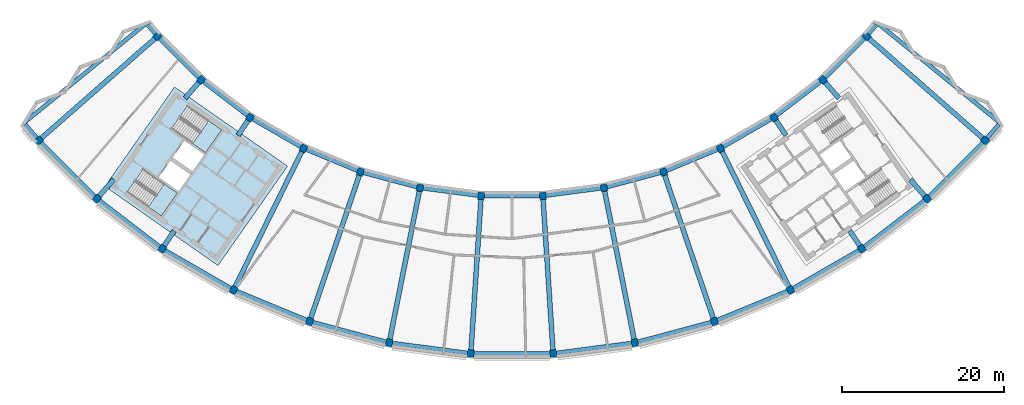
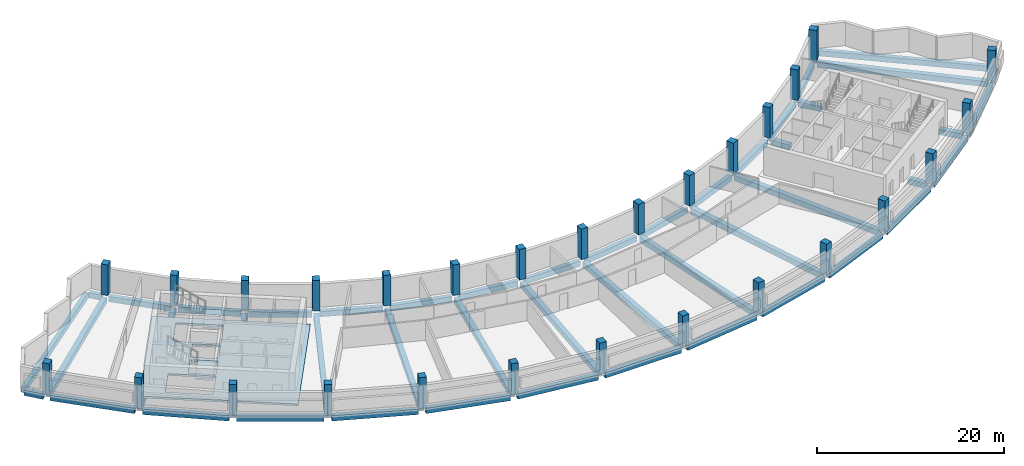
# One storey, part 1 of 11: 50 beams, 28 columns, 3 slabs, 2 elements without a shape of their own.
"""IFC4 building model written with IfcOpenShell, lengths in metres."""

from ifc_helpers import new_model, si_unit, direction, frame, origin, origin_2d, place, context, subcontext, project, spatial, polyline, rectangle, outline, extrude, material, layer, layer_set, material_profile, profile_set, type_object, element, aggregate, save


model = new_model("IFC4")

# Units and contexts
model_context = context("Model", 3, precision=1e-05, world=origin(), true_north=direction((0.0, 1.0)))
body_context = subcontext(model_context, "Body", "Model", "MODEL_VIEW")
ifc_project = project(units=[si_unit("LENGTHUNIT", "METRE"), si_unit("AREAUNIT", "SQUARE_METRE"), si_unit("VOLUMEUNIT", "CUBIC_METRE"), si_unit("PLANEANGLEUNIT", "RADIAN"), si_unit("MASSUNIT", "GRAM", prefix="KILO")], contexts=[model_context])

# Site, building, storey
site_placement = place(None, origin())
site = spatial("IfcSite", under=ifc_project, at=site_placement, CompositionType="ELEMENT")
building_placement = place(site_placement, origin())
building = spatial("IfcBuilding", under=site, at=building_placement, Name="Qamariyya Broadcast Tower", CompositionType="ELEMENT")
storey_placement = place(building_placement, frame((0.0, 0.0, 294.699951171875)))
storey = spatial("IfcBuildingStorey", under=building, at=storey_placement, Name="L71", CompositionType="ELEMENT", Elevation=294.699951171875)

# Columns
ifc_material_1 = material(Name="Concrete C50/60", Category="concrete")
ifc_material_profile_1 = material_profile(ifc_material_1, rectangle(XDim=0.800048828125, YDim=0.89990234375, at=origin_2d()))
ifc_profile_set_1 = profile_set([ifc_material_profile_1], Name="Concrete C50/60")
column_type = type_object("IfcColumnType", Name="RC column 800 x 900 C50/60", PredefinedType="COLUMN", material=ifc_profile_set_1)
for number, where, z_axis, x_axis, name in (
    (1, (-43.794677734375, -38.406982421875, 0.0), (0.0, 0.0, 1.0), (0.6593458151, -0.751839807479, 0.0), "Column C13 L71 B-R04"),
    (2, (-58.45556640625, -51.26416015625, 0.0), (0.0, 0.0, 1.0), (0.6593458151, -0.751839807479, 0.0), "Column C13 L71 C-R04"),
    (3, (-38.406982421875, -43.794677734375, 0.0), (0.0, 0.0, 1.0), (0.751839807479, -0.6593458151, 0.0), "Column C13 L71 B-R05"),
    (4, (-51.26416015625, -58.45556640625, 0.0), (0.0, 0.0, 1.0), (0.751839807479, -0.6593458151, 0.0), "Column C13 L71 C-R05"),
    (5, (-32.362060546875, -48.43310546875, 0.0), (0.0, 0.0, 1.0), (0.831469612303, -0.55557023302, 0.0), "Column C13 L71 B-R06"),
    (6, (-43.195556640625, -64.646728515625, 0.0), (0.0, 0.0, 1.0), (0.831469612303, -0.55557023302, 0.0), "Column C13 L71 C-R06"),
    (7, (-25.763427734375, -52.242919921875, 0.0), (0.0, 0.0, 1.0), (0.896872741533, -0.442288690219, 0.0), "Column C13 L71 B-R07"),
    (8, (-34.387939453125, -69.73193359375, 0.0), (0.0, 0.0, 1.0), (0.896872741533, -0.442288690219, 0.0), "Column C13 L71 C-R07"),
    (9, (-18.723876953125, -55.15869140625, 0.0), (0.0, 0.0, 1.0), (0.946930129495, -0.321439465303, 0.0), "Column C13 L71 B-R08"),
    (10, (-24.991943359375, -73.623779296875, 0.0), (0.0, 0.0, 1.0), (0.946930129495, -0.321439465303, 0.0), "Column C13 L71 C-R08"),
    (11, (-11.364013671875, -57.130859375, 0.0), (0.0, 0.0, 1.0), (0.980785280403, -0.195090322016, 0.0), "Column C13 L71 B-R09"),
    (12, (-15.168212890625, -76.256103515625, 0.0), (0.0, 0.0, 1.0), (0.980785280403, -0.195090322016, 0.0), "Column C13 L71 C-R09"),
    (13, (-3.809814453125, -58.125244140625, 0.0), (0.0, 0.0, 1.0), (0.997858923239, -0.06540312923, 0.0), "Column C13 L71 B-R10"),
    (14, (-5.085205078125, -77.58349609375, 0.0), (0.0, 0.0, 1.0), (0.997858923239, -0.06540312923, 0.0), "Column C13 L71 C-R10"),
    (15, (3.809814453125, -58.125244140625, 0.0), (0.0, 0.0, 1.0), (0.997858923239, 0.06540312923, 0.0), "Column C13 L71 B-R11"),
    (16, (5.085205078125, -77.58349609375, 0.0), (0.0, 0.0, 1.0), (0.997858923239, 0.06540312923, 0.0), "Column C13 L71 C-R11"),
    (17, (11.364013671875, -57.130859375, 0.0), (0.0, 0.0, 1.0), (0.980785280403, 0.195090322016, 0.0), "Column C13 L71 B-R12"),
    (18, (15.168212890625, -76.256103515625, 0.0), (0.0, 0.0, 1.0), (0.980785280403, 0.195090322016, 0.0), "Column C13 L71 C-R12"),
    (19, (18.723876953125, -55.15869140625, 0.0), (0.0, 0.0, 1.0), (0.946930129495, 0.321439465303, 0.0), "Column C13 L71 B-R13"),
    (20, (24.991943359375, -73.623779296875, 0.0), (0.0, 0.0, 1.0), (0.946930129495, 0.321439465303, 0.0), "Column C13 L71 C-R13"),
    (21, (25.763427734375, -52.242919921875, 0.0), (0.0, 0.0, 1.0), (0.896872741533, 0.442288690219, 0.0), "Column C13 L71 B-R14"),
    (22, (34.387939453125, -69.73193359375, 0.0), (0.0, 0.0, 1.0), (0.896872741533, 0.442288690219, 0.0), "Column C13 L71 C-R14"),
    (23, (32.362060546875, -48.43310546875, 0.0), (0.0, 0.0, 1.0), (0.831469612303, 0.55557023302, 0.0), "Column C13 L71 B-R15"),
    (24, (43.195556640625, -64.646728515625, 0.0), (0.0, 0.0, 1.0), (0.831469612303, 0.55557023302, 0.0), "Column C13 L71 C-R15"),
    (25, (38.406982421875, -43.794677734375, 0.0), (0.0, 0.0, 1.0), (0.751839807479, 0.6593458151, 0.0), "Column C13 L71 B-R16"),
    (26, (51.26416015625, -58.45556640625, 0.0), (0.0, 0.0, 1.0), (0.751839807479, 0.6593458151, 0.0), "Column C13 L71 C-R16"),
    (27, (43.794677734375, -38.406982421875, 0.0), (0.0, 0.0, 1.0), (0.6593458151, 0.751839807479, 0.0), "Column C13 L71 B-R17"),
    (28, (58.45556640625, -51.26416015625, 0.0), (0.0, 0.0, 1.0), (0.6593458151, 0.751839807479, 0.0), "Column C13 L71 C-R17"),
):
    element("IfcColumn", number, at=place(storey_placement, frame(where, z_axis=z_axis, x_axis=x_axis)), inside=storey, type_object=column_type, Name=name, PredefinedType="COLUMN", context=body_context, shape_type="SweptSolid", body=[
        extrude(rectangle(XDim=0.800048828125, YDim=0.89990234375, at=origin_2d()), origin(), (0.0, 0.0, 1.0), 4.0),
    ])

# Beams
ifc_material_2 = material(Name="Concrete C40/50", Category="concrete")
ifc_material_profile_2 = material_profile(ifc_material_2, rectangle(XDim=0.5, YDim=0.699951171875, at=origin_2d()))
ifc_profile_set_2 = profile_set([ifc_material_profile_2], Name="Concrete C40/50")
beam_type_1 = type_object("IfcBeamType", Name="RC edge beam 500 x 700 C40/50", PredefinedType="SPANDREL", material=ifc_profile_set_2)
beam_1_placement = place(storey_placement, frame((-43.51123046875, -38.6904296875, -0.599853515625), z_axis=(0.707106781187, -0.707106781187, 0.0), x_axis=(0.707106781187, 0.707106781187, 0.0)))
element("IfcBeam", 29, at=beam_1_placement, inside=storey, type_object=beam_type_1, Name="Edge beam B32 L71 B R04-R05", PredefinedType="SPANDREL", context=body_context, shape_type="SweptSolid", body=[
    extrude(rectangle(XDim=0.5, YDim=0.699951171875, at=origin_2d()), origin(), (0.0, 0.0, 1.0), 6.817626953125),
])
for number, where, z_axis, x_axis, name in (
    (30, (-38.0888671875, -44.03857421875, -0.599853515625), (0.793355578527, -0.608758512072, 0.0), (0.608758512072, 0.793355578527, 0.0), "Edge beam B32 L71 B R05-R06"),
    (31, (-32.014892578125, -48.633544921875, -0.599853515625), (0.866028756998, -0.499994192018, 0.0), (0.499994192018, 0.866028756998, 0.0), "Edge beam B32 L71 B R06-R07"),
    (32, (-25.39306640625, -52.396240234375, -0.599853515625), (0.923875859791, -0.382692298976, 0.0), (0.382692298976, 0.923875859791, 0.0), "Edge beam B32 L71 B R07-R08"),
    (33, (-18.336669921875, -55.262451171875, -0.599853515625), (0.965922796001, -0.258830354026, 0.0), (0.258830354026, 0.965922796001, 0.0), "Edge beam B32 L71 B R08-R09"),
):
    element("IfcBeam", number, at=place(storey_placement, frame(where, z_axis=z_axis, x_axis=x_axis)), inside=storey, type_object=beam_type_1, Name=name, PredefinedType="SPANDREL", context=body_context, shape_type="SweptSolid", body=[
        extrude(rectangle(XDim=0.5, YDim=0.699951171875, at=origin_2d()), origin(), (0.0, 0.0, 1.0), 6.81787109375),
    ])
beam_2_placement = place(storey_placement, frame((-10.966552734375, -57.18310546875, -0.599853515625), z_axis=(0.991444541835, -0.130528619338, 0.0), x_axis=(0.130528619338, 0.991444541835, 0.0)))
element("IfcBeam", 34, at=beam_2_placement, inside=storey, type_object=beam_type_1, Name="Edge beam B32 L71 B R09-R10", PredefinedType="SPANDREL", context=body_context, shape_type="SweptSolid", body=[
    extrude(rectangle(XDim=0.5, YDim=0.699951171875, at=origin_2d()), origin(), (0.0, 0.0, 1.0), 6.817626953125),
])
beam_3_placement = place(storey_placement, frame((-3.408935546875, -58.125244140625, -0.599853515625), z_axis=(1.0, 0.0, 0.0), x_axis=(0.0, 1.0, 0.0)))
element("IfcBeam", 35, at=beam_3_placement, inside=storey, type_object=beam_type_1, Name="Edge beam B32 L71 B R10-R11", PredefinedType="SPANDREL", context=body_context, shape_type="SweptSolid", body=[
    extrude(rectangle(XDim=0.5, YDim=0.699951171875, at=origin_2d()), origin(), (0.0, 0.0, 1.0), 6.81787109375),
])
beam_4_placement = place(storey_placement, frame((4.207275390625, -58.072998046875, -0.599853515625), z_axis=(0.991444541835, 0.130528619338, 0.0), x_axis=(-0.130528619338, 0.991444541835, 0.0)))
element("IfcBeam", 36, at=beam_4_placement, inside=storey, type_object=beam_type_1, Name="Edge beam B32 L71 B R11-R12", PredefinedType="SPANDREL", context=body_context, shape_type="SweptSolid", body=[
    extrude(rectangle(XDim=0.5, YDim=0.699951171875, at=origin_2d()), origin(), (0.0, 0.0, 1.0), 6.817626953125),
])
for number, where, z_axis, x_axis, name in (
    (37, (11.751220703125, -57.027099609375, -0.599853515625), (0.965922796001, 0.258830354026, 0.0), (-0.258830354026, 0.965922796001, 0.0), "Edge beam B32 L71 B R12-R13"),
    (38, (19.09423828125, -55.00537109375, -0.599853515625), (0.923875859791, 0.382692298976, 0.0), (-0.382692298976, 0.923875859791, 0.0), "Edge beam B32 L71 B R13-R14"),
    (39, (26.1103515625, -52.04248046875, -0.599853515625), (0.866028756998, 0.499994192018, 0.0), (-0.499994192018, 0.866028756998, 0.0), "Edge beam B32 L71 B R14-R15"),
    (40, (32.679931640625, -48.18896484375, -0.599853515625), (0.793355578527, 0.608758512072, 0.0), (-0.608758512072, 0.793355578527, 0.0), "Edge beam B32 L71 B R15-R16"),
):
    element("IfcBeam", number, at=place(storey_placement, frame(where, z_axis=z_axis, x_axis=x_axis)), inside=storey, type_object=beam_type_1, Name=name, PredefinedType="SPANDREL", context=body_context, shape_type="SweptSolid", body=[
        extrude(rectangle(XDim=0.5, YDim=0.699951171875, at=origin_2d()), origin(), (0.0, 0.0, 1.0), 6.81787109375),
    ])
beam_5_placement = place(storey_placement, frame((38.6904296875, -43.51123046875, -0.599853515625), z_axis=(0.707106781187, 0.707106781187, 0.0), x_axis=(-0.707106781187, 0.707106781187, 0.0)))
element("IfcBeam", 41, at=beam_5_placement, inside=storey, type_object=beam_type_1, Name="Edge beam B32 L71 B R16-R17", PredefinedType="SPANDREL", context=body_context, shape_type="SweptSolid", body=[
    extrude(rectangle(XDim=0.5, YDim=0.699951171875, at=origin_2d()), origin(), (0.0, 0.0, 1.0), 6.817626953125),
])
for number, where, z_axis, x_axis, name in (
    (42, (-58.172119140625, -51.547607421875, -0.599853515625), (0.707106781187, -0.707106781187, 0.0), (0.707106781187, 0.707106781187, 0.0), "Edge beam B32 L71 C R04-R05"),
    (43, (-50.946044921875, -58.699462890625, -0.599853515625), (0.793337425087, -0.608782169545, 0.0), (0.608782169545, 0.793337425087, 0.0), "Edge beam B32 L71 C R05-R06"),
    (44, (-42.848388671875, -64.84716796875, -0.599853515625), (0.866019808396, -0.500009691372, 0.0), (0.500009691372, 0.866019808396, 0.0), "Edge beam B32 L71 C R06-R07"),
    (45, (-34.017578125, -69.88525390625, -0.599853515625), (0.923876761165, -0.382690122919, 0.0), (0.382690122919, 0.923876761165, 0.0), "Edge beam B32 L71 C R07-R08"),
):
    element("IfcBeam", number, at=place(storey_placement, frame(where, z_axis=z_axis, x_axis=x_axis)), inside=storey, type_object=beam_type_1, Name=name, PredefinedType="SPANDREL", context=body_context, shape_type="SweptSolid", body=[
        extrude(rectangle(XDim=0.5, YDim=0.699951171875, at=origin_2d()), origin(), (0.0, 0.0, 1.0), 9.368408203125),
    ])
beam_6_placement = place(storey_placement, frame((-24.604736328125, -73.7275390625, -0.599853515625), z_axis=(0.965924554352, -0.258823791988, 0.0), x_axis=(0.258823791988, 0.965924554352, 0.0)))
element("IfcBeam", 46, at=beam_6_placement, inside=storey, type_object=beam_type_1, Name="Edge beam B32 L71 C R08-R09", PredefinedType="SPANDREL", context=body_context, shape_type="SweptSolid", body=[
    extrude(rectangle(XDim=0.5, YDim=0.699951171875, at=origin_2d()), origin(), (0.0, 0.0, 1.0), 9.36865234375),
])
beam_7_placement = place(storey_placement, frame((-14.770751953125, -76.308349609375, -0.599853515625), z_axis=(0.991443914621, -0.130533383318, 0.0), x_axis=(0.130533383318, 0.991443914621, 0.0)))
element("IfcBeam", 47, at=beam_7_placement, inside=storey, type_object=beam_type_1, Name="Edge beam B32 L71 C R09-R10", PredefinedType="SPANDREL", context=body_context, shape_type="SweptSolid", body=[
    extrude(rectangle(XDim=0.5, YDim=0.699951171875, at=origin_2d()), origin(), (0.0, 0.0, 1.0), 9.368408203125),
])
beam_8_placement = place(storey_placement, frame((-4.684326171875, -77.58349609375, -0.599853515625), z_axis=(1.0, 0.0, 0.0), x_axis=(0.0, 1.0, 0.0)))
element("IfcBeam", 48, at=beam_8_placement, inside=storey, type_object=beam_type_1, Name="Edge beam B32 L71 C R10-R11", PredefinedType="SPANDREL", context=body_context, shape_type="SweptSolid", body=[
    extrude(rectangle(XDim=0.5, YDim=0.699951171875, at=origin_2d()), origin(), (0.0, 0.0, 1.0), 9.36865234375),
])
beam_9_placement = place(storey_placement, frame((5.482421875, -77.53125, -0.599853515625), z_axis=(0.991443914621, 0.130533383318, 0.0), x_axis=(-0.130533383318, 0.991443914621, 0.0)))
element("IfcBeam", 49, at=beam_9_placement, inside=storey, type_object=beam_type_1, Name="Edge beam B32 L71 C R11-R12", PredefinedType="SPANDREL", context=body_context, shape_type="SweptSolid", body=[
    extrude(rectangle(XDim=0.5, YDim=0.699951171875, at=origin_2d()), origin(), (0.0, 0.0, 1.0), 9.368408203125),
])
beam_10_placement = place(storey_placement, frame((15.555419921875, -76.15234375, -0.599853515625), z_axis=(0.965924554352, 0.258823791988, 0.0), x_axis=(-0.258823791988, 0.965924554352, 0.0)))
element("IfcBeam", 50, at=beam_10_placement, inside=storey, type_object=beam_type_1, Name="Edge beam B32 L71 C R12-R13", PredefinedType="SPANDREL", context=body_context, shape_type="SweptSolid", body=[
    extrude(rectangle(XDim=0.5, YDim=0.699951171875, at=origin_2d()), origin(), (0.0, 0.0, 1.0), 9.36865234375),
])
for number, where, z_axis, x_axis, name in (
    (51, (25.3623046875, -73.470458984375, -0.599853515625), (0.923876761165, 0.382690122919, 0.0), (-0.382690122919, 0.923876761165, 0.0), "Edge beam B32 L71 C R13-R14"),
    (52, (34.735107421875, -69.531494140625, -0.599853515625), (0.866019808396, 0.500009691372, 0.0), (-0.500009691372, 0.866019808396, 0.0), "Edge beam B32 L71 C R14-R15"),
    (53, (43.513671875, -64.40283203125, -0.599853515625), (0.793337425087, 0.608782169545, 0.0), (-0.608782169545, 0.793337425087, 0.0), "Edge beam B32 L71 C R15-R16"),
    (54, (51.547607421875, -58.172119140625, -0.599853515625), (0.707106781187, 0.707106781187, 0.0), (-0.707106781187, 0.707106781187, 0.0), "Edge beam B32 L71 C R16-R17"),
):
    element("IfcBeam", number, at=place(storey_placement, frame(where, z_axis=z_axis, x_axis=x_axis)), inside=storey, type_object=beam_type_1, Name=name, PredefinedType="SPANDREL", context=body_context, shape_type="SweptSolid", body=[
        extrude(rectangle(XDim=0.5, YDim=0.699951171875, at=origin_2d()), origin(), (0.0, 0.0, 1.0), 9.368408203125),
    ])
ifc_material_profile_3 = material_profile(ifc_material_2, rectangle(XDim=0.5, YDim=0.699951171875, at=origin_2d()))
ifc_profile_set_3 = profile_set([ifc_material_profile_3], Name="Concrete C40/50")
beam_type_2 = type_object("IfcBeamType", Name="RC horn beam 500 x 700 C40/50", PredefinedType="BEAM", material=ifc_profile_set_3)
beam_11_placement = place(storey_placement, frame((-44.052978515625, -38.101318359375, -0.599853515625), z_axis=(-0.645562267298, 0.763707639769, 0.0), x_axis=(-0.763707639769, -0.645562267298, 0.0)))
element("IfcBeam", 55, at=beam_11_placement, inside=storey, type_object=beam_type_2, Name="Horn beam B33 L71 W B-R04", PredefinedType="BEAM", context=body_context, shape_type="SweptSolid", body=[
    extrude(rectangle(XDim=0.5, YDim=0.699951171875, at=origin_2d()), origin(), (0.0, 0.0, 1.0), 1.46923828125),
])
beam_12_placement = place(storey_placement, frame((-58.7138671875, -50.95849609375, -0.599853515625), z_axis=(-0.645580484074, 0.763692240751, 0.0), x_axis=(-0.763692240751, -0.645580484074, 0.0)))
element("IfcBeam", 56, at=beam_12_placement, inside=storey, type_object=beam_type_2, Name="Horn beam B33 L71 W C-R04", PredefinedType="BEAM", context=body_context, shape_type="SweptSolid", body=[
    extrude(rectangle(XDim=0.5, YDim=0.699951171875, at=origin_2d()), origin(), (0.0, 0.0, 1.0), 2.1787109375),
])
beam_13_placement = place(storey_placement, frame((44.052978515625, -38.101318359375, -0.599853515625), z_axis=(0.645562267298, 0.763707639769, 0.0), x_axis=(-0.763707639769, 0.645562267298, 0.0)))
element("IfcBeam", 57, at=beam_13_placement, inside=storey, type_object=beam_type_2, Name="Horn beam B33 L71 E B-R17", PredefinedType="BEAM", context=body_context, shape_type="SweptSolid", body=[
    extrude(rectangle(XDim=0.5, YDim=0.699951171875, at=origin_2d()), origin(), (0.0, 0.0, 1.0), 1.46923828125),
])
beam_14_placement = place(storey_placement, frame((58.7138671875, -50.95849609375, -0.599853515625), z_axis=(0.645580484074, 0.763692240751, 0.0), x_axis=(-0.763692240751, 0.645580484074, 0.0)))
element("IfcBeam", 58, at=beam_14_placement, inside=storey, type_object=beam_type_2, Name="Horn beam B33 L71 E C-R17", PredefinedType="BEAM", context=body_context, shape_type="SweptSolid", body=[
    extrude(rectangle(XDim=0.5, YDim=0.699951171875, at=origin_2d()), origin(), (0.0, 0.0, 1.0), 2.1787109375),
])
ifc_material_profile_4 = material_profile(ifc_material_2, rectangle(XDim=0.5, YDim=0.699951171875, at=origin_2d()))
ifc_profile_set_4 = profile_set([ifc_material_profile_4], Name="Concrete C40/50")
beam_type_3 = type_object("IfcBeamType", Name="RC horn cap beam 500 x 700 C40/50", PredefinedType="BEAM", material=ifc_profile_set_4)
for number, where, z_axis, x_axis, name in (
    (59, (-45.356689453125, -36.9462890625, -0.599853515625), (-0.775330061416, -0.631556249169, 0.0), (0.631556249169, -0.775330061416, 0.0), "Horn cap beam B21 L71 W B-C"),
    (60, (45.356689453125, -36.9462890625, -0.599853515625), (0.775330061416, -0.631556249169, 0.0), (0.631556249169, 0.775330061416, 0.0), "Horn cap beam B21 L71 E B-C"),
):
    element("IfcBeam", number, at=place(storey_placement, frame(where, z_axis=z_axis, x_axis=x_axis)), inside=storey, type_object=beam_type_3, Name=name, PredefinedType="BEAM", context=body_context, shape_type="SweptSolid", body=[
        extrude(rectangle(XDim=0.5, YDim=0.699951171875, at=origin_2d()), origin(), (0.0, 0.0, 1.0), 19.0),
    ])
ifc_material_profile_5 = material_profile(ifc_material_2, rectangle(XDim=0.60009765625, YDim=0.699951171875, at=origin_2d()))
ifc_profile_set_5 = profile_set([ifc_material_profile_5], Name="Concrete C40/50")
beam_type_4 = type_object("IfcBeamType", Name="RC radial beam 600 x 700 C40/50", PredefinedType="BEAM", material=ifc_profile_set_5)
beam_15_placement = place(storey_placement, frame((-44.133056640625, -38.70361328125, -0.599853515625), z_axis=(-0.751835479309, -0.659350750399, 0.0), x_axis=(0.659350750399, -0.751835479309, 0.0)))
element("IfcBeam", 61, at=beam_15_placement, inside=storey, type_object=beam_type_4, Name="Radial beam B31 L71 R04 B-C", PredefinedType="BEAM", context=body_context, shape_type="SweptSolid", body=[
    extrude(rectangle(XDim=0.60009765625, YDim=0.699951171875, at=origin_2d()), origin(), (0.0, 0.0, 1.0), 18.60009765625),
])
beam_16_placement = place(storey_placement, frame((-38.70361328125, -44.133056640625, -0.599853515625), z_axis=(-0.65936701245, -0.751821217373, 0.0), x_axis=(0.751821217373, -0.65936701245, 0.0)))
element("IfcBeam", 62, at=beam_16_placement, inside=storey, type_object=beam_type_4, Name="Radial beam B31 L71 R05 B-C", PredefinedType="BEAM", context=body_context, shape_type="SweptSolid", body=[
    extrude(rectangle(XDim=0.60009765625, YDim=0.699951171875, at=origin_2d()), origin(), (0.0, 0.0, 1.0), 2.56396484375),
])
beam_17_placement = place(storey_placement, frame((-49.1943359375, -56.095458984375, -0.599853515625), z_axis=(-0.659384708976, -0.751805696686, 0.0), x_axis=(0.751805696686, -0.659384708976, 0.0)))
element("IfcBeam", 63, at=beam_17_placement, inside=storey, type_object=beam_type_4, Name="Radial beam B31 L71 R05 B-C", PredefinedType="BEAM", context=body_context, shape_type="SweptSolid", body=[
    extrude(rectangle(XDim=0.60009765625, YDim=0.699951171875, at=origin_2d()), origin(), (0.0, 0.0, 1.0), 2.689208984375),
])
beam_18_placement = place(storey_placement, frame((-32.612060546875, -48.807373046875, -0.599853515625), z_axis=(-0.555590424473, -0.83145612045, 0.0), x_axis=(0.83145612045, -0.555590424473, 0.0)))
element("IfcBeam", 64, at=beam_18_placement, inside=storey, type_object=beam_type_4, Name="Radial beam B31 L71 R06 B-C", PredefinedType="BEAM", context=body_context, shape_type="SweptSolid", body=[
    extrude(rectangle(XDim=0.60009765625, YDim=0.699951171875, at=origin_2d()), origin(), (0.0, 0.0, 1.0), 2.21435546875),
])
beam_19_placement = place(storey_placement, frame((-41.733154296875, -62.458251953125, -0.599853515625), z_axis=(-0.555577686168, -0.83146463222, 0.0), x_axis=(0.83146463222, -0.555577686168, 0.0)))
element("IfcBeam", 65, at=beam_19_placement, inside=storey, type_object=beam_type_4, Name="Radial beam B31 L71 R06 B-C", PredefinedType="BEAM", context=body_context, shape_type="SweptSolid", body=[
    extrude(rectangle(XDim=0.60009765625, YDim=0.699951171875, at=origin_2d()), origin(), (0.0, 0.0, 1.0), 2.18212890625),
])
for number, where, z_axis, x_axis, name in (
    (66, (-25.96240234375, -52.646484375, -0.599853515625), (-0.442287277377, -0.896873438268, 0.0), (0.896873438268, -0.442287277377, 0.0), "Radial beam B31 L71 R07 B-C"),
    (67, (-18.868408203125, -55.584716796875, -0.599853515625), (-0.321436539423, -0.946931122692, 0.0), (0.946931122692, -0.321436539423, 0.0), "Radial beam B31 L71 R08 B-C"),
    (68, (-11.451904296875, -57.572021484375, -0.599853515625), (-0.195088681676, -0.980785606686, 0.0), (0.980785606686, -0.195088681676, 0.0), "Radial beam B31 L71 R09 B-C"),
    (69, (-3.839111328125, -58.57421875, -0.599853515625), (-0.065405603651, -0.997858761053, 0.0), (0.997858761053, -0.065405603651, 0.0), "Radial beam B31 L71 R10 B-C"),
    (70, (3.839111328125, -58.57421875, -0.599853515625), (0.065405603651, -0.997858761053, 0.0), (0.997858761053, 0.065405603651, 0.0), "Radial beam B31 L71 R11 B-C"),
    (71, (11.451904296875, -57.572021484375, -0.599853515625), (0.195088681676, -0.980785606686, 0.0), (0.980785606686, 0.195088681676, 0.0), "Radial beam B31 L71 R12 B-C"),
    (72, (18.868408203125, -55.584716796875, -0.599853515625), (0.321436539423, -0.946931122692, 0.0), (0.946931122692, 0.321436539423, 0.0), "Radial beam B31 L71 R13 B-C"),
    (73, (25.96240234375, -52.646484375, -0.599853515625), (0.442287277377, -0.896873438268, 0.0), (0.896873438268, 0.442287277377, 0.0), "Radial beam B31 L71 R14 B-C"),
):
    element("IfcBeam", number, at=place(storey_placement, frame(where, z_axis=z_axis, x_axis=x_axis)), inside=storey, type_object=beam_type_4, Name=name, PredefinedType="BEAM", context=body_context, shape_type="SweptSolid", body=[
        extrude(rectangle(XDim=0.60009765625, YDim=0.699951171875, at=origin_2d()), origin(), (0.0, 0.0, 1.0), 18.60009765625),
    ])
beam_20_placement = place(storey_placement, frame((32.612060546875, -48.807373046875, -0.599853515625), z_axis=(0.555590424473, -0.83145612045, 0.0), x_axis=(0.83145612045, 0.555590424473, 0.0)))
element("IfcBeam", 74, at=beam_20_placement, inside=storey, type_object=beam_type_4, Name="Radial beam B31 L71 R15 B-C", PredefinedType="BEAM", context=body_context, shape_type="SweptSolid", body=[
    extrude(rectangle(XDim=0.60009765625, YDim=0.699951171875, at=origin_2d()), origin(), (0.0, 0.0, 1.0), 2.21435546875),
])
beam_21_placement = place(storey_placement, frame((41.733154296875, -62.458251953125, -0.599853515625), z_axis=(0.555577686168, -0.83146463222, 0.0), x_axis=(0.83146463222, 0.555577686168, 0.0)))
element("IfcBeam", 75, at=beam_21_placement, inside=storey, type_object=beam_type_4, Name="Radial beam B31 L71 R15 B-C", PredefinedType="BEAM", context=body_context, shape_type="SweptSolid", body=[
    extrude(rectangle(XDim=0.60009765625, YDim=0.699951171875, at=origin_2d()), origin(), (0.0, 0.0, 1.0), 2.18212890625),
])
beam_22_placement = place(storey_placement, frame((38.70361328125, -44.133056640625, -0.599853515625), z_axis=(0.65936701245, -0.751821217373, 0.0), x_axis=(0.751821217373, 0.65936701245, 0.0)))
element("IfcBeam", 76, at=beam_22_placement, inside=storey, type_object=beam_type_4, Name="Radial beam B31 L71 R16 B-C", PredefinedType="BEAM", context=body_context, shape_type="SweptSolid", body=[
    extrude(rectangle(XDim=0.60009765625, YDim=0.699951171875, at=origin_2d()), origin(), (0.0, 0.0, 1.0), 2.56396484375),
])
beam_23_placement = place(storey_placement, frame((49.1943359375, -56.095458984375, -0.599853515625), z_axis=(0.659384708976, -0.751805696686, 0.0), x_axis=(0.751805696686, 0.659384708976, 0.0)))
element("IfcBeam", 77, at=beam_23_placement, inside=storey, type_object=beam_type_4, Name="Radial beam B31 L71 R16 B-C", PredefinedType="BEAM", context=body_context, shape_type="SweptSolid", body=[
    extrude(rectangle(XDim=0.60009765625, YDim=0.699951171875, at=origin_2d()), origin(), (0.0, 0.0, 1.0), 2.689208984375),
])
beam_24_placement = place(storey_placement, frame((44.133056640625, -38.70361328125, -0.599853515625), z_axis=(0.751835479309, -0.659350750399, 0.0), x_axis=(0.659350750399, 0.751835479309, 0.0)))
element("IfcBeam", 78, at=beam_24_placement, inside=storey, type_object=beam_type_4, Name="Radial beam B31 L71 R17 B-C", PredefinedType="BEAM", context=body_context, shape_type="SweptSolid", body=[
    extrude(rectangle(XDim=0.60009765625, YDim=0.699951171875, at=origin_2d()), origin(), (0.0, 0.0, 1.0), 18.60009765625),
])

# Slab
ifc_layer_1 = layer(ifc_material_2, 0.25)
ifc_layer_set_1 = layer_set([ifc_layer_1], Name="Core floor slab 250 mm Concrete C40/50")
slab_type_1 = type_object("IfcSlabType", Name="Core floor slab 250 mm Concrete C40/50", PredefinedType="FLOOR", material=ifc_layer_set_1)
slab_1_placement = place(storey_placement, frame((0.0, 0.0, -0.25)))
element("IfcSlab", 79, at=slab_1_placement, inside=storey, type_object=slab_type_1, Name="k-W-L71-slab", PredefinedType="FLOOR", context=body_context, shape_type="SweptSolid", body=[
    extrude(outline(polyline([(-50.286376953125, -56.95751953125), (-36.32373046875, -66.734375), (-27.719970703125, -54.447021484375), (-41.6826171875, -44.67041015625), (-50.286376953125, -56.95751953125)]), holes=[polyline([(-39.742431640625, -55.489990234375), (-42.199951171875, -53.769287109375), (-43.6337890625, -55.817138671875), (-41.17626953125, -57.537841796875), (-39.742431640625, -55.489990234375)]), polyline([(-39.45556640625, -55.080322265625), (-41.9130859375, -53.359619140625), (-40.47900390625, -51.311767578125), (-38.021728515625, -53.032470703125), (-39.45556640625, -55.080322265625)]), polyline([(-42.06103515625, -49.837890625), (-37.849609375, -52.78662109375), (-35.870849609375, -49.960693359375), (-40.082275390625, -47.01171875), (-42.06103515625, -49.837890625)]), polyline([(-47.538818359375, -57.66064453125), (-43.3271484375, -60.609619140625), (-41.348388671875, -57.783447265625), (-45.559814453125, -54.834716796875), (-47.538818359375, -57.66064453125)])]), origin(), (0.0, 0.0, 1.0), 0.25),
])

# Stair, slab
stair_type = type_object("IfcStairType", Name="Exit stair 24 risers of 167 mm", PredefinedType="HALF_TURN_STAIR", material=ifc_material_1)
stair_1_placement = place(storey_placement, origin())
stair_1 = element("IfcStair", 80, at=stair_1_placement, inside=storey, type_object=stair_type, Name="L71 Stair W2", PredefinedType="HALF_TURN_STAIR")
ifc_layer_2 = layer(ifc_material_1, 0.199951171875)
ifc_layer_set_2 = layer_set([ifc_layer_2], Name="Stair landing")
slab_type_2 = type_object("IfcSlabType", Name="Stair landing", PredefinedType="LANDING", material=ifc_layer_set_2)
slab_2_placement = place(storey_placement, frame((0.0, 0.0, 1.800048828125)))
slab_2 = element("IfcSlab", 81, at=slab_2_placement, type_object=slab_type_2, Name="ST-W2 landing 1", PredefinedType="LANDING", context=body_context, shape_type="SweptSolid", body=[
    extrude(outline(polyline([(-39.45458984375, -51.662841796875), (-37.849609375, -52.78662109375), (-35.870849609375, -49.960693359375), (-37.475830078125, -48.8369140625), (-39.45458984375, -51.662841796875)])), origin(), (0.0, 0.0, 1.0), 0.199951171875),
])
aggregate(stair_1, [slab_2])

stair_2_placement = place(storey_placement, origin())
stair_2 = element("IfcStair", 82, at=stair_2_placement, inside=storey, type_object=stair_type, Name="L71 Stair W1", PredefinedType="HALF_TURN_STAIR")
slab_3_placement = place(storey_placement, frame((0.0, 0.0, 1.800048828125)))
slab_3 = element("IfcSlab", 83, at=slab_3_placement, type_object=slab_type_2, Name="ST-W1 landing 1", PredefinedType="LANDING", context=body_context, shape_type="SweptSolid", body=[
    extrude(outline(polyline([(-44.93212890625, -59.48583984375), (-43.3271484375, -60.609619140625), (-41.348388671875, -57.783447265625), (-42.953369140625, -56.65966796875), (-44.93212890625, -59.48583984375)])), origin(), (0.0, 0.0, 1.0), 0.199951171875),
])
aggregate(stair_2, [slab_3])

save(model, "model.ifc")
